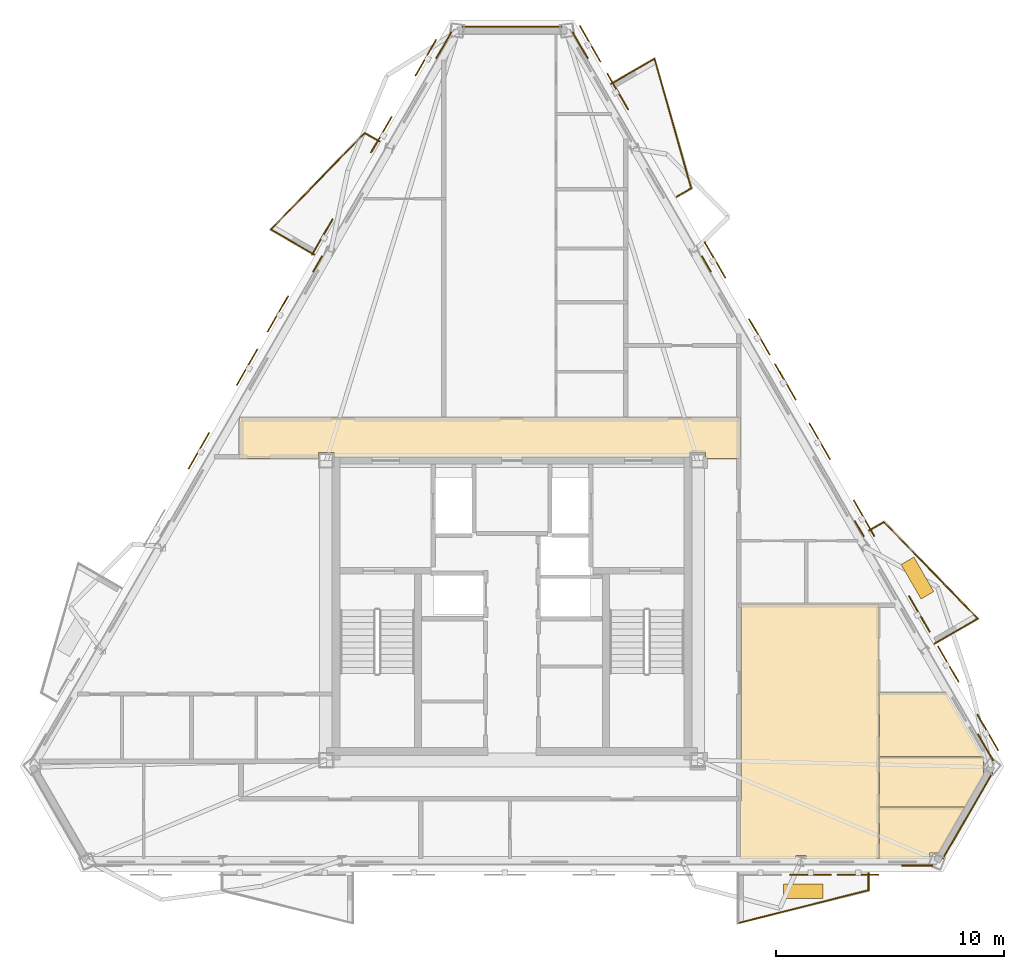
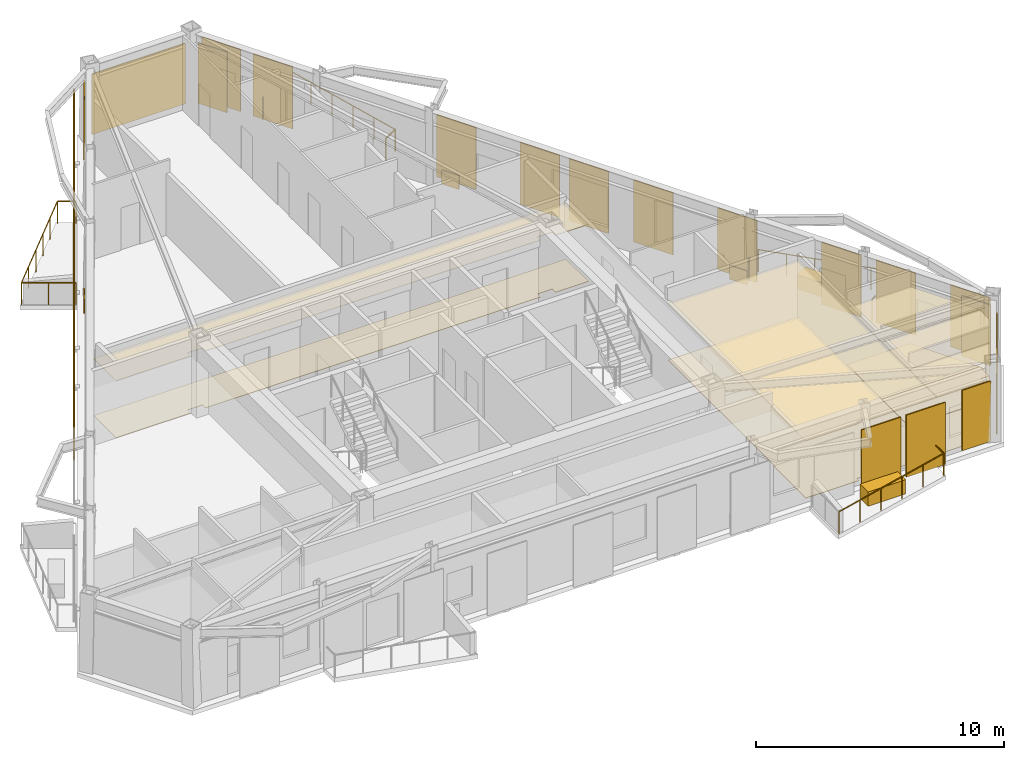
# One storey, part 9 of 9: 21 coverings, 18 shading devices, 11 railings.
"""IFC4 building model written with IfcOpenShell, lengths in metres."""

from ifc_helpers import new_model, si_unit, direction, frame, origin, origin_2d, place, context, subcontext, project, spatial, polyline, rectangle, circle, outline, extrude, material, layer, layer_set, type_object, element, save


model = new_model("IFC4")

# Units and contexts
model_context = context("Model", 3, precision=1e-05, world=origin(), true_north=direction((0.0, 1.0)))
body_context = subcontext(model_context, "Body", "Model", "MODEL_VIEW")
ifc_project = project(units=[si_unit("LENGTHUNIT", "METRE"), si_unit("AREAUNIT", "SQUARE_METRE"), si_unit("VOLUMEUNIT", "CUBIC_METRE"), si_unit("PLANEANGLEUNIT", "RADIAN"), si_unit("MASSUNIT", "GRAM", prefix="KILO")], contexts=[model_context])

# Site, building, storey
site_placement = place(None, origin())
site = spatial("IfcSite", under=ifc_project, at=site_placement, CompositionType="ELEMENT")
building_placement = place(site_placement, origin())
building = spatial("IfcBuilding", under=site, at=building_placement, Name="Oramaril Tower", CompositionType="ELEMENT")
storey_placement = place(building_placement, frame((0.0, 0.0, 269.39990234375)))
storey = spatial("IfcBuildingStorey", under=building, at=storey_placement, Name="L71", CompositionType="ELEMENT", Elevation=269.39990234375)

# Coverings
ifc_material_1 = material(Name="Mineral Fibre Acoustic Ceiling")
ifc_layer_1 = layer(ifc_material_1, 0.02001953125)
ifc_layer_set_1 = layer_set([ifc_layer_1], Name="CVT-CEIL")
covering_type_1 = type_object("IfcCoveringType", Name="CVT-CEIL", PredefinedType="CEILING", material=ifc_layer_set_1)
covering_1_placement = place(storey_placement, frame((0.0, 0.0, 2.81201171875)))
element("IfcCovering", 1, at=covering_1_placement, inside=storey, type_object=covering_type_1, Name="L71 Acoustic Suspended Ceiling 2", PredefinedType="CEILING", context=body_context, shape_type="SweptSolid", body=[
    extrude(outline(polyline([(47.530029296875, 24.239990234375), (45.9951171875, 24.239990234375), (45.9951171875, 24.4951171875), (45.304931640625, 24.4951171875), (45.304931640625, 24.25), (29.695068359375, 24.25), (29.695068359375, 24.4951171875), (29.0048828125, 24.4951171875), (29.0048828125, 24.239990234375), (25.52001953125, 24.239990234375), (25.52001953125, 26.050048828125), (47.530029296875, 26.050048828125), (47.530029296875, 24.239990234375)])), origin(), (0.0, 0.0, 1.0), 0.02001953125),
])
covering_2_placement = place(storey_placement, frame((0.0, 0.0, 2.81201171875)))
element("IfcCovering", 2, at=covering_2_placement, inside=storey, type_object=covering_type_1, Name="L71 Acoustic Suspended Ceiling 13", PredefinedType="CEILING", context=body_context, shape_type="SweptSolid", body=[
    extrude(outline(polyline([(53.623291015625, 17.842041015625), (53.623291015625, 6.642578125), (50.403076171875, 6.642578125), (50.403076171875, 6.800537109375), (49.97412109375, 6.800537109375), (49.97412109375, 6.642578125), (47.511962890625, 6.642578125), (47.511962890625, 9.199951171875), (47.530029296875, 9.199951171875), (47.531982421875, 9.2001953125), (47.533935546875, 9.200439453125), (47.535888671875, 9.200927734375), (47.53759765625, 9.201416015625), (47.539306640625, 9.202392578125), (47.541015625, 9.203369140625), (47.542724609375, 9.20458984375), (47.544189453125, 9.205810546875), (47.54541015625, 9.207275390625), (47.546630859375, 9.208984375), (47.547607421875, 9.210693359375), (47.548583984375, 9.21240234375), (47.549072265625, 9.214111328125), (47.549560546875, 9.216064453125), (47.5498046875, 9.218017578125), (47.550048828125, 9.219970703125), (47.550048828125, 11.030029296875), (47.5498046875, 11.031982421875), (47.549560546875, 11.033935546875), (47.549072265625, 11.035888671875), (47.548583984375, 11.03759765625), (47.547607421875, 11.039306640625), (47.54736328125, 11.0400390625), (47.547607421875, 11.04052734375), (47.548583984375, 11.042236328125), (47.549072265625, 11.044189453125), (47.549560546875, 11.046142578125), (47.5498046875, 11.048095703125), (47.550048828125, 11.050048828125), (47.550048828125, 17.842041015625), (53.623291015625, 17.842041015625)])), origin(), (0.0, 0.0, 1.0), 0.02001953125),
])
covering_3_placement = place(storey_placement, frame((0.0, 0.0, 2.81201171875)))
element("IfcCovering", 3, at=covering_3_placement, inside=storey, type_object=covering_type_1, Name="L71 Acoustic Suspended Ceiling 14", PredefinedType="CEILING", context=body_context, shape_type="SweptSolid", body=[
    extrude(outline(polyline([(56.2421875, 6.9140625), (55.827880859375, 6.9140625), (55.827880859375, 6.642578125), (53.643310546875, 6.642578125), (53.643310546875, 8.918701171875), (57.399658203125, 8.918701171875), (56.2421875, 6.9140625)])), origin(), (0.0, 0.0, 1.0), 0.02001953125),
])
covering_4_placement = place(storey_placement, frame((0.0, 0.0, 2.81201171875)))
element("IfcCovering", 4, at=covering_4_placement, inside=storey, type_object=covering_type_1, Name="L71 Acoustic Suspended Ceiling 15", PredefinedType="CEILING", context=body_context, shape_type="SweptSolid", body=[
    extrude(outline(polyline([(58.262451171875, 11.052978515625), (58.212158203125, 11.052978515625), (58.212158203125, 10.363037109375), (58.2333984375, 10.363037109375), (57.40966796875, 8.93603515625), (57.4091796875, 8.936279296875), (57.407470703125, 8.937255859375), (57.405517578125, 8.93798828125), (57.403564453125, 8.9384765625), (57.401611328125, 8.938720703125), (57.399658203125, 8.938720703125), (53.643310546875, 8.938720703125), (53.643310546875, 11.1279296875), (58.21923828125, 11.1279296875), (58.262451171875, 11.052978515625)])), origin(), (0.0, 0.0, 1.0), 0.02001953125),
])
covering_5_placement = place(storey_placement, frame((0.0, 0.0, 2.81201171875)))
element("IfcCovering", 5, at=covering_5_placement, inside=storey, type_object=covering_type_1, Name="L71 Acoustic Suspended Ceiling 16", PredefinedType="CEILING", context=body_context, shape_type="SweptSolid", body=[
    extrude(outline(polyline([(58.20751953125, 11.14794921875), (53.643310546875, 11.14794921875), (53.643310546875, 13.96044921875), (56.583740234375, 13.96044921875), (58.20751953125, 11.14794921875)])), origin(), (0.0, 0.0, 1.0), 0.02001953125),
])
ifc_material_2 = material(Name="Warm Cream Limestone", Category="masonry")
ifc_layer_2 = layer(ifc_material_2, 0.050048828125)
ifc_layer_set_2 = layer_set([ifc_layer_2], Name="CVT-CLD")
covering_type_2 = type_object("IfcCoveringType", Name="CVT-CLD", PredefinedType="CLADDING", material=ifc_layer_set_2)
covering_6_placement = place(storey_placement, frame((55.2978515625, 6.36669921875, 0.0400390625), z_axis=(0.0, 0.0, 1.0), x_axis=(1.0, 0.0, 0.0)))
element("IfcCovering", 6, at=covering_6_placement, inside=storey, type_object=covering_type_2, Name="L71 Warm Cream Limestone Cladding", PredefinedType="CLADDING", context=body_context, shape_type="SweptSolid", body=[
    extrude(rectangle(XDim=1.35009765625, YDim=0.050048828125, at=origin_2d()), origin(), (0.0, 0.0, 1.0), 2.97802734375),
])
covering_7_placement = place(storey_placement, frame((57.50537109375, 8.5498046875, 0.0400390625), z_axis=(0.0, 0.0, 1.0), x_axis=(0.499992442484, 0.866029767075, 0.0)))
element("IfcCovering", 7, at=covering_7_placement, inside=storey, type_object=covering_type_2, Name="L71 Warm Cream Limestone Cladding", PredefinedType="CLADDING", context=body_context, shape_type="SweptSolid", body=[
    extrude(rectangle(XDim=4.347900390625, YDim=0.050048828125, at=origin_2d()), origin(), (0.0, 0.0, 1.0), 2.97802734375),
])
for number, where, z_axis, x_axis, name in (
    (8, (58.292236328125, 11.55322265625, 0.0400390625), (0.0, 0.0, 1.0), (-0.5, 0.866025403784, 0.0), "L71 Warm Cream Limestone Cladding"),
    (9, (40.494384765625, 42.380126953125, 0.0400390625), (0.0, 0.0, 1.0), (-0.5, 0.866025403784, 0.0), "L71 Warm Cream Limestone Cladding"),
):
    element("IfcCovering", number, at=place(storey_placement, frame(where, z_axis=z_axis, x_axis=x_axis)), inside=storey, type_object=covering_type_2, Name=name, PredefinedType="CLADDING", context=body_context, shape_type="SweptSolid", body=[
        extrude(rectangle(XDim=1.35009765625, YDim=0.050048828125, at=origin_2d()), origin(), (0.0, 0.0, 1.0), 2.97802734375),
    ])
for number, where, z_axis, x_axis, name in (
    (10, (52.75, 21.15283203125, 0.0400390625), (0.0, 0.0, 1.0), (-0.5, 0.866025403784, 0.0), "L71 Warm Cream Limestone Spandrel Cladding"),
    (11, (46.03662109375, 32.780517578125, 0.0400390625), (0.0, 0.0, 1.0), (-0.5, 0.866025403784, 0.0), "L71 Warm Cream Limestone Spandrel Cladding"),
):
    element("IfcCovering", number, at=place(storey_placement, frame(where, z_axis=z_axis, x_axis=x_axis)), inside=storey, type_object=covering_type_2, Name=name, PredefinedType="CLADDING", context=body_context, shape_type="SweptSolid", body=[
        extrude(rectangle(XDim=0.800048828125, YDim=0.050048828125, at=origin_2d()), origin(), (0.0, 0.0, 1.0), 0.679931640625),
    ])
covering_8_placement = place(storey_placement, frame((37.5, 43.2001953125, 0.0400390625), z_axis=(0.0, 0.0, 1.0), x_axis=(-1.0, 0.0, 0.0)))
element("IfcCovering", 12, at=covering_8_placement, inside=storey, type_object=covering_type_2, Name="L71 Warm Cream Limestone Cladding", PredefinedType="CLADDING", context=body_context, shape_type="SweptSolid", body=[
    extrude(rectangle(XDim=4.347900390625, YDim=0.050048828125, at=origin_2d()), origin(), (0.0, 0.0, 1.0), 2.97802734375),
])
covering_9_placement = place(storey_placement, frame((34.505615234375, 42.380126953125, 0.0400390625), z_axis=(0.0, 0.0, 1.0), x_axis=(-0.5, -0.866025403784, 0.0)))
element("IfcCovering", 13, at=covering_9_placement, inside=storey, type_object=covering_type_2, Name="L71 Warm Cream Limestone Cladding", PredefinedType="CLADDING", context=body_context, shape_type="SweptSolid", body=[
    extrude(rectangle(XDim=1.35009765625, YDim=0.050048828125, at=origin_2d()), origin(), (0.0, 0.0, 1.0), 2.97802734375),
])
covering_10_placement = place(storey_placement, frame((28.96337890625, 32.780517578125, 0.0400390625), z_axis=(0.0, 0.0, 1.0), x_axis=(-0.5, -0.866025403784, 0.0)))
element("IfcCovering", 14, at=covering_10_placement, inside=storey, type_object=covering_type_2, Name="L71 Warm Cream Limestone Spandrel Cladding", PredefinedType="CLADDING", context=body_context, shape_type="SweptSolid", body=[
    extrude(rectangle(XDim=0.800048828125, YDim=0.050048828125, at=origin_2d()), origin(), (0.0, 0.0, 1.0), 0.679931640625),
])
for number, where, z_axis, x_axis, name in (
    (15, (50.28857421875, 5.23828125, 0.0), (0.0, 0.0, 1.0), (1.0, 0.0, 0.0), "L71 Structural Tree Planter Box L71-BAL-S2"),
    (16, (55.302490234375, 18.989013671875, 0.0), (0.0, 0.0, 1.0), (-0.5, 0.866025403784, 0.0), "L71 Structural Tree Planter Box L71-BAL-NE1"),
):
    element("IfcCovering", number, at=place(storey_placement, frame(where, z_axis=z_axis, x_axis=x_axis)), inside=storey, type_object=covering_type_2, Name=name, PredefinedType="CLADDING", context=body_context, shape_type="SweptSolid", body=[
        extrude(rectangle(XDim=1.75, YDim=0.64990234375, at=origin_2d()), origin(), (0.0, 0.0, 1.0), 0.699951171875),
    ])
ifc_material_3 = material(Name="Honed Quartzite Stone Flooring", Category="masonry")
ifc_layer_3 = layer(ifc_material_3, 0.02490234375)
ifc_layer_set_3 = layer_set([ifc_layer_3], Name="CVT-FLR")
covering_type_3 = type_object("IfcCoveringType", Name="CVT-FLR", PredefinedType="FLOORING", material=ifc_layer_set_3)
covering_11_placement = place(storey_placement, origin())
element("IfcCovering", 17, at=covering_11_placement, inside=storey, type_object=covering_type_3, Name="L71 Honed Stone Floor Finish 2", PredefinedType="FLOORING", context=body_context, shape_type="SweptSolid", body=[
    extrude(outline(polyline([(47.530029296875, 24.239990234375), (45.9951171875, 24.239990234375), (45.9951171875, 24.4951171875), (45.304931640625, 24.4951171875), (45.304931640625, 24.25), (29.695068359375, 24.25), (29.695068359375, 24.4951171875), (29.0048828125, 24.4951171875), (29.0048828125, 24.239990234375), (25.52001953125, 24.239990234375), (25.52001953125, 26.050048828125), (47.530029296875, 26.050048828125), (47.530029296875, 24.239990234375)])), origin(), (0.0, 0.0, 1.0), 0.025146484375),
])
covering_12_placement = place(storey_placement, origin())
element("IfcCovering", 18, at=covering_12_placement, inside=storey, type_object=covering_type_3, Name="L71 Honed Stone Floor Finish 13", PredefinedType="FLOORING", context=body_context, shape_type="SweptSolid", body=[
    extrude(outline(polyline([(53.623291015625, 17.842041015625), (53.623291015625, 6.642578125), (50.403076171875, 6.642578125), (50.403076171875, 6.800537109375), (49.97412109375, 6.800537109375), (49.97412109375, 6.642578125), (47.511962890625, 6.642578125), (47.511962890625, 9.199951171875), (47.530029296875, 9.199951171875), (47.531982421875, 9.2001953125), (47.533935546875, 9.200439453125), (47.535888671875, 9.200927734375), (47.53759765625, 9.201416015625), (47.539306640625, 9.202392578125), (47.541015625, 9.203369140625), (47.542724609375, 9.20458984375), (47.544189453125, 9.205810546875), (47.54541015625, 9.207275390625), (47.546630859375, 9.208984375), (47.547607421875, 9.210693359375), (47.548583984375, 9.21240234375), (47.549072265625, 9.214111328125), (47.549560546875, 9.216064453125), (47.5498046875, 9.218017578125), (47.550048828125, 9.219970703125), (47.550048828125, 11.030029296875), (47.5498046875, 11.031982421875), (47.549560546875, 11.033935546875), (47.549072265625, 11.035888671875), (47.548583984375, 11.03759765625), (47.547607421875, 11.039306640625), (47.54736328125, 11.0400390625), (47.547607421875, 11.04052734375), (47.548583984375, 11.042236328125), (47.549072265625, 11.044189453125), (47.549560546875, 11.046142578125), (47.5498046875, 11.048095703125), (47.550048828125, 11.050048828125), (47.550048828125, 17.842041015625), (53.623291015625, 17.842041015625)])), origin(), (0.0, 0.0, 1.0), 0.025146484375),
])
covering_13_placement = place(storey_placement, origin())
element("IfcCovering", 19, at=covering_13_placement, inside=storey, type_object=covering_type_3, Name="L71 Honed Stone Floor Finish 14", PredefinedType="FLOORING", context=body_context, shape_type="SweptSolid", body=[
    extrude(outline(polyline([(56.2421875, 6.9140625), (55.827880859375, 6.9140625), (55.827880859375, 6.642578125), (53.643310546875, 6.642578125), (53.643310546875, 8.918701171875), (57.399658203125, 8.918701171875), (56.2421875, 6.9140625)])), origin(), (0.0, 0.0, 1.0), 0.025146484375),
])
covering_14_placement = place(storey_placement, origin())
element("IfcCovering", 20, at=covering_14_placement, inside=storey, type_object=covering_type_3, Name="L71 Honed Stone Floor Finish 15", PredefinedType="FLOORING", context=body_context, shape_type="SweptSolid", body=[
    extrude(outline(polyline([(58.262451171875, 11.052978515625), (58.212158203125, 11.052978515625), (58.212158203125, 10.363037109375), (58.2333984375, 10.363037109375), (57.40966796875, 8.93603515625), (57.4091796875, 8.936279296875), (57.407470703125, 8.937255859375), (57.405517578125, 8.93798828125), (57.403564453125, 8.9384765625), (57.401611328125, 8.938720703125), (57.399658203125, 8.938720703125), (53.643310546875, 8.938720703125), (53.643310546875, 11.1279296875), (58.21923828125, 11.1279296875), (58.262451171875, 11.052978515625)])), origin(), (0.0, 0.0, 1.0), 0.025146484375),
])
covering_15_placement = place(storey_placement, origin())
element("IfcCovering", 21, at=covering_15_placement, inside=storey, type_object=covering_type_3, Name="L71 Honed Stone Floor Finish 16", PredefinedType="FLOORING", context=body_context, shape_type="SweptSolid", body=[
    extrude(outline(polyline([(58.20751953125, 11.14794921875), (53.643310546875, 11.14794921875), (53.643310546875, 13.96044921875), (56.583740234375, 13.96044921875), (58.20751953125, 11.14794921875)])), origin(), (0.0, 0.0, 1.0), 0.025146484375),
])

# Railings
ifc_material_4 = material(Name="Stainless Steel 316L", Category="steel")
railing_type = type_object("IfcRailingType", Name="RLT-GRD", PredefinedType="GUARDRAIL", material=ifc_material_4)
railing_1_placement = place(storey_placement, frame((53.153564453125, 6.026611328125, 0.0)))
element("IfcRailing", 22, at=railing_1_placement, inside=storey, type_object=railing_type, Name="L71 Balcony Guardrail L71-BAL-S2.1", PredefinedType="GUARDRAIL", context=body_context, shape_type="SweptSolid", body=[
    extrude(circle(Radius=0.02392578125, at=origin_2d()), frame((0.0, 0.0, 1.076171875), z_axis=(0.0, -1.0, 0.0), x_axis=(1.0, 0.0, 0.0)), (0.0, 0.0, 1.0), 0.741943359375),
    extrude(circle(Radius=0.02099609375, at=origin_2d()), origin(), (0.0, 0.0, 1.0), 1.052001953125),
    extrude(circle(Radius=0.02099609375, at=origin_2d()), frame((0.0, -0.741943359375, 0.0)), (0.0, 0.0, 1.0), 1.052001953125),
])
railing_2_placement = place(storey_placement, frame((53.153564453125, 5.28466796875, 0.0)))
element("IfcRailing", 23, at=railing_2_placement, inside=storey, type_object=railing_type, Name="L71 Balcony Guardrail L71-BAL-S2.2", PredefinedType="GUARDRAIL", context=body_context, shape_type="SweptSolid", body=[
    extrude(circle(Radius=0.02392578125, at=origin_2d()), frame((0.0, 0.0, 1.076171875), z_axis=(-0.969443611257, -0.245314256807, 0.0), x_axis=(0.245314256807, -0.969443611257, 0.0)), (0.0, 0.0, 1.0), 5.91064453125),
    extrude(circle(Radius=0.02099609375, at=origin_2d()), origin(), (0.0, 0.0, 1.0), 1.052001953125),
    extrude(circle(Radius=0.02099609375, at=origin_2d()), frame((-1.14599609375, -0.2900390625, 0.0)), (0.0, 0.0, 1.0), 1.052001953125),
    extrude(circle(Radius=0.02099609375, at=origin_2d()), frame((-2.2919921875, -0.580078125, 0.0)), (0.0, 0.0, 1.0), 1.052001953125),
    extrude(circle(Radius=0.02099609375, at=origin_2d()), frame((-3.43798828125, -0.869873046875, 0.0)), (0.0, 0.0, 1.0), 1.052001953125),
    extrude(circle(Radius=0.02099609375, at=origin_2d()), frame((-4.583984375, -1.159912109375, 0.0)), (0.0, 0.0, 1.0), 1.052001953125),
    extrude(circle(Radius=0.02099609375, at=origin_2d()), frame((-5.72998046875, -1.449951171875, 0.0)), (0.0, 0.0, 1.0), 1.052001953125),
])
railing_3_placement = place(storey_placement, frame((53.18701171875, 21.07568359375, 0.0)))
element("IfcRailing", 24, at=railing_3_placement, inside=storey, type_object=railing_type, Name="L71 Balcony Guardrail L71-BAL-NE1.1", PredefinedType="GUARDRAIL", context=body_context, shape_type="SweptSolid", body=[
    extrude(circle(Radius=0.02392578125, at=origin_2d()), frame((0.0, 0.0, 1.076171875), z_axis=(0.865966403178, 0.500102178127, 0.0), x_axis=(-0.500102178127, 0.865966403178, 0.0)), (0.0, 0.0, 1.0), 0.741943359375),
    extrude(circle(Radius=0.02099609375, at=origin_2d()), origin(), (0.0, 0.0, 1.0), 1.052001953125),
    extrude(circle(Radius=0.02099609375, at=origin_2d()), frame((0.642578125, 0.37109375, 0.0)), (0.0, 0.0, 1.0), 1.052001953125),
])
railing_4_placement = place(storey_placement, frame((53.82958984375, 21.44677734375, 0.0)))
element("IfcRailing", 25, at=railing_4_placement, inside=storey, type_object=railing_type, Name="L71 Balcony Guardrail L71-BAL-NE1.2", PredefinedType="GUARDRAIL", context=body_context, shape_type="SweptSolid", body=[
    extrude(circle(Radius=0.02392578125, at=origin_2d()), frame((0.0, 0.0, 1.076171875), z_axis=(0.697186915353, -0.716889395277, 0.0), x_axis=(0.716889395277, 0.697186915353, 0.0)), (0.0, 0.0, 1.0), 5.91064453125),
    extrude(circle(Radius=0.02099609375, at=origin_2d()), origin(), (0.0, 0.0, 1.0), 1.052001953125),
    extrude(circle(Radius=0.02099609375, at=origin_2d()), frame((0.82421875, -0.847412109375, 0.0)), (0.0, 0.0, 1.0), 1.052001953125),
    extrude(circle(Radius=0.02099609375, at=origin_2d()), frame((1.6484375, -1.69482421875, 0.0)), (0.0, 0.0, 1.0), 1.052001953125),
    extrude(circle(Radius=0.02099609375, at=origin_2d()), frame((2.472412109375, -2.54248046875, 0.0)), (0.0, 0.0, 1.0), 1.052001953125),
    extrude(circle(Radius=0.02099609375, at=origin_2d()), frame((3.296630859375, -3.389892578125, 0.0)), (0.0, 0.0, 1.0), 1.052001953125),
    extrude(circle(Radius=0.02099609375, at=origin_2d()), frame((4.120849609375, -4.2373046875, 0.0)), (0.0, 0.0, 1.0), 1.052001953125),
])
railing_5_placement = place(storey_placement, frame((57.950439453125, 17.20947265625, 0.0)))
element("IfcRailing", 26, at=railing_5_placement, inside=storey, type_object=railing_type, Name="L71 Balcony Guardrail L71-BAL-NE1.3", PredefinedType="GUARDRAIL", context=body_context, shape_type="SweptSolid", body=[
    extrude(circle(Radius=0.02392578125, at=origin_2d()), frame((0.0, 0.0, 1.076171875), z_axis=(-0.866048343933, -0.499960264392, 0.0), x_axis=(0.499960264392, -0.866048343933, 0.0)), (0.0, 0.0, 1.0), 2.192138671875),
    extrude(circle(Radius=0.02099609375, at=origin_2d()), origin(), (0.0, 0.0, 1.0), 1.052001953125),
    extrude(circle(Radius=0.02099609375, at=origin_2d()), frame((-0.94921875, -0.5478515625, 0.0)), (0.0, 0.0, 1.0), 1.052001953125),
    extrude(circle(Radius=0.02099609375, at=origin_2d()), frame((-1.8984375, -1.095947265625, 0.0)), (0.0, 0.0, 1.0), 1.052001953125),
])
railing_6_placement = place(storey_placement, frame((41.861083984375, 40.69287109375, 0.0)))
element("IfcRailing", 27, at=railing_6_placement, inside=storey, type_object=railing_type, Name="L71 Balcony Guardrail L71-BAL-NE2.1", PredefinedType="GUARDRAIL", context=body_context, shape_type="SweptSolid", body=[
    extrude(circle(Radius=0.02392578125, at=origin_2d()), frame((0.0, 0.0, 1.076171875), z_axis=(0.866048343933, 0.499960264392, 0.0), x_axis=(-0.499960264392, 0.866048343933, 0.0)), (0.0, 0.0, 1.0), 2.192138671875),
    extrude(circle(Radius=0.02099609375, at=origin_2d()), origin(), (0.0, 0.0, 1.0), 1.052001953125),
    extrude(circle(Radius=0.02099609375, at=origin_2d()), frame((0.94921875, 0.5478515625, 0.0)), (0.0, 0.0, 1.0), 1.052001953125),
    extrude(circle(Radius=0.02099609375, at=origin_2d()), frame((1.8984375, 1.095947265625, 0.0)), (0.0, 0.0, 1.0), 1.052001953125),
])
railing_7_placement = place(storey_placement, frame((43.759521484375, 41.788818359375, 0.0)))
element("IfcRailing", 28, at=railing_7_placement, inside=storey, type_object=railing_type, Name="L71 Balcony Guardrail L71-BAL-NE2.2", PredefinedType="GUARDRAIL", context=body_context, shape_type="SweptSolid", body=[
    extrude(circle(Radius=0.02392578125, at=origin_2d()), frame((0.0, 0.0, 1.076171875), z_axis=(0.272259686627, -0.962223811303, 0.0), x_axis=(0.962223811303, 0.272259686627, 0.0)), (0.0, 0.0, 1.0), 5.910400390625),
    extrude(circle(Radius=0.02099609375, at=origin_2d()), origin(), (0.0, 0.0, 1.0), 1.052001953125),
    extrude(circle(Radius=0.02099609375, at=origin_2d()), frame((0.32177734375, -1.137451171875, 0.0)), (0.0, 0.0, 1.0), 1.052001953125),
    extrude(circle(Radius=0.02099609375, at=origin_2d()), frame((0.6435546875, -2.27490234375, 0.0)), (0.0, 0.0, 1.0), 1.052001953125),
    extrude(circle(Radius=0.02099609375, at=origin_2d()), frame((0.965576171875, -3.412109375, 0.0)), (0.0, 0.0, 1.0), 1.052001953125),
    extrude(circle(Radius=0.02099609375, at=origin_2d()), frame((1.287353515625, -4.549560546875, 0.0)), (0.0, 0.0, 1.0), 1.052001953125),
    extrude(circle(Radius=0.02099609375, at=origin_2d()), frame((1.609130859375, -5.68701171875, 0.0)), (0.0, 0.0, 1.0), 1.052001953125),
])
railing_8_placement = place(storey_placement, frame((45.36865234375, 36.101806640625, 0.0)))
element("IfcRailing", 29, at=railing_8_placement, inside=storey, type_object=railing_type, Name="L71 Balcony Guardrail L71-BAL-NE2.3", PredefinedType="GUARDRAIL", context=body_context, shape_type="SweptSolid", body=[
    extrude(circle(Radius=0.02392578125, at=origin_2d()), frame((0.0, 0.0, 1.076171875), z_axis=(-0.865966403178, -0.500102178127, 0.0), x_axis=(0.500102178127, -0.865966403178, 0.0)), (0.0, 0.0, 1.0), 0.741943359375),
    extrude(circle(Radius=0.02099609375, at=origin_2d()), origin(), (0.0, 0.0, 1.0), 1.052001953125),
    extrude(circle(Radius=0.02099609375, at=origin_2d()), frame((-0.642578125, -0.37109375, 0.0)), (0.0, 0.0, 1.0), 1.052001953125),
])
railing_9_placement = place(storey_placement, frame((28.811279296875, 33.197509765625, 0.0)))
element("IfcRailing", 30, at=railing_9_placement, inside=storey, type_object=railing_type, Name="L71 Balcony Guardrail L71-BAL-NW1.1", PredefinedType="GUARDRAIL", context=body_context, shape_type="SweptSolid", body=[
    extrude(circle(Radius=0.02392578125, at=origin_2d()), frame((0.0, 0.0, 1.076171875), z_axis=(-0.866020500697, 0.5000084923, 0.0), x_axis=(-0.5000084923, -0.866020500697, 0.0)), (0.0, 0.0, 1.0), 2.19189453125),
    extrude(circle(Radius=0.02099609375, at=origin_2d()), origin(), (0.0, 0.0, 1.0), 1.052001953125),
    extrude(circle(Radius=0.02099609375, at=origin_2d()), frame((-0.94921875, 0.5478515625, 0.0)), (0.0, 0.0, 1.0), 1.052001953125),
    extrude(circle(Radius=0.02099609375, at=origin_2d()), frame((-1.898193359375, 1.095947265625, 0.0)), (0.0, 0.0, 1.0), 1.052001953125),
])
railing_10_placement = place(storey_placement, frame((26.9130859375, 34.29345703125, 0.0)))
element("IfcRailing", 31, at=railing_10_placement, inside=storey, type_object=railing_type, Name="L71 Balcony Guardrail L71-BAL-NW1.2", PredefinedType="GUARDRAIL", context=body_context, shape_type="SweptSolid", body=[
    extrude(circle(Radius=0.02392578125, at=origin_2d()), frame((0.0, 0.0, 1.076171875), z_axis=(0.697186915353, 0.716889395277, 0.0), x_axis=(-0.716889395277, 0.697186915353, 0.0)), (0.0, 0.0, 1.0), 5.91064453125),
    extrude(circle(Radius=0.02099609375, at=origin_2d()), origin(), (0.0, 0.0, 1.0), 1.052001953125),
    extrude(circle(Radius=0.02099609375, at=origin_2d()), frame((0.82421875, 0.847412109375, 0.0)), (0.0, 0.0, 1.0), 1.052001953125),
    extrude(circle(Radius=0.02099609375, at=origin_2d()), frame((1.6484375, 1.69482421875, 0.0)), (0.0, 0.0, 1.0), 1.052001953125),
    extrude(circle(Radius=0.02099609375, at=origin_2d()), frame((2.472412109375, 2.54248046875, 0.0)), (0.0, 0.0, 1.0), 1.052001953125),
    extrude(circle(Radius=0.02099609375, at=origin_2d()), frame((3.296630859375, 3.389892578125, 0.0)), (0.0, 0.0, 1.0), 1.052001953125),
    extrude(circle(Radius=0.02099609375, at=origin_2d()), frame((4.120849609375, 4.2373046875, 0.0)), (0.0, 0.0, 1.0), 1.052001953125),
])
railing_11_placement = place(storey_placement, frame((31.033935546875, 38.53076171875, 0.0)))
element("IfcRailing", 32, at=railing_11_placement, inside=storey, type_object=railing_type, Name="L71 Balcony Guardrail L71-BAL-NW1.3", PredefinedType="GUARDRAIL", context=body_context, shape_type="SweptSolid", body=[
    extrude(circle(Radius=0.02392578125, at=origin_2d()), frame((0.0, 0.0, 1.076171875), z_axis=(0.866108878364, -0.499855389907, 0.0), x_axis=(0.499855389907, 0.866108878364, 0.0)), (0.0, 0.0, 1.0), 0.741943359375),
    extrude(circle(Radius=0.02099609375, at=origin_2d()), origin(), (0.0, 0.0, 1.0), 1.052001953125),
    extrude(circle(Radius=0.02099609375, at=origin_2d()), frame((0.642578125, -0.370849609375, 0.0)), (0.0, 0.0, 1.0), 1.052001953125),
])

# Shading devices
for number, where, z_axis, x_axis, name in (
    (33, (50.609375, 5.95458984375, -0.02001953125), (0.0, 0.0, 1.0), (1.0, 0.0, 0.0), "L71 Perforated Ceramic Solar Screen"),
    (34, (52.694091796875, 5.95458984375, -0.02001953125), (0.0, 0.0, 1.0), (1.0, 0.0, 0.0), "L71 Perforated Ceramic Solar Screen"),
    (35, (58.38916015625, 12.209228515625, -0.02001953125), (0.0, 0.0, 1.0), (-0.5, 0.866025403784, 0.0), "L71 Perforated Ceramic Solar Screen"),
    (36, (56.656494140625, 15.21044921875, -0.02001953125), (0.0, 0.0, 1.0), (-0.5, 0.866025403784, 0.0), "L71 Perforated Ceramic Solar Screen"),
    (37, (55.3876953125, 17.407958984375, -0.02001953125), (0.0, 0.0, 1.0), (-0.5, 0.866025403784, 0.0), "L71 Perforated Ceramic Solar Screen"),
    (38, (52.958251953125, 21.615966796875, -0.02001953125), (0.0, 0.0, 1.0), (-0.5, 0.866025403784, 0.0), "L71 Perforated Ceramic Solar Screen"),
    (39, (51.00830078125, 24.993408203125, -0.02001953125), (0.0, 0.0, 1.0), (-0.5, 0.866025403784, 0.0), "L71 Perforated Ceramic Solar Screen"),
    (40, (49.50341796875, 27.60009765625, -0.02001953125), (0.0, 0.0, 1.0), (-0.5, 0.866025403784, 0.0), "L71 Perforated Ceramic Solar Screen"),
    (41, (42.140625, 40.3525390625, -0.02001953125), (0.0, 0.0, 1.0), (-0.5, 0.866025403784, 0.0), "L71 Perforated Ceramic Solar Screen"),
    (42, (40.9306640625, 42.448486328125, -0.02001953125), (0.0, 0.0, 1.0), (-0.5, 0.866025403784, 0.0), "L71 Perforated Ceramic Solar Screen"),
    (43, (48.361572265625, 29.57763671875, -0.02001953125), (0.0, 0.0, 1.0), (-0.5, 0.866025403784, 0.0), "L71 Perforated Ceramic Solar Screen"),
    (44, (46.41162109375, 32.955078125, -0.02001953125), (0.0, 0.0, 1.0), (-0.5, 0.866025403784, 0.0), "L71 Perforated Ceramic Solar Screen"),
    (45, (23.752685546875, 24.579345703125, -0.02001953125), (0.0, 0.0, 1.0), (-0.5, -0.866025403784, 0.0), "L71 Perforated Ceramic Solar Screen"),
    (46, (29.171875, 33.9658203125, -0.02001953125), (0.0, 0.0, 1.0), (-0.5, -0.866025403784, 0.0), "L71 Perforated Ceramic Solar Screen"),
    (47, (27.221923828125, 30.58837890625, -0.02001953125), (0.0, 0.0, 1.0), (-0.5, -0.866025403784, 0.0), "L71 Perforated Ceramic Solar Screen"),
    (48, (25.86767578125, 28.24267578125, -0.02001953125), (0.0, 0.0, 1.0), (-0.5, -0.866025403784, 0.0), "L71 Perforated Ceramic Solar Screen"),
    (49, (33.71630859375, 41.8369140625, -0.02001953125), (0.0, 0.0, 1.0), (-0.5, -0.866025403784, 0.0), "L71 Perforated Ceramic Solar Screen"),
    (50, (31.76611328125, 38.459228515625, -0.02001953125), (0.0, 0.0, 1.0), (-0.5, -0.866025403784, 0.0), "L71 Perforated Ceramic Solar Screen"),
):
    element("IfcShadingDevice", number, at=place(storey_placement, frame(where, z_axis=z_axis, x_axis=x_axis)), inside=storey, Name=name, ObjectType="SCREEN", PredefinedType="USERDEFINED", context=body_context, shape_type="SweptSolid", body=[
        extrude(rectangle(XDim=1.8330078125, YDim=0.050048828125, at=origin_2d()), origin(), (0.0, 0.0, 1.0), 3.05810546875),
    ])

save(model, "model.ifc")
